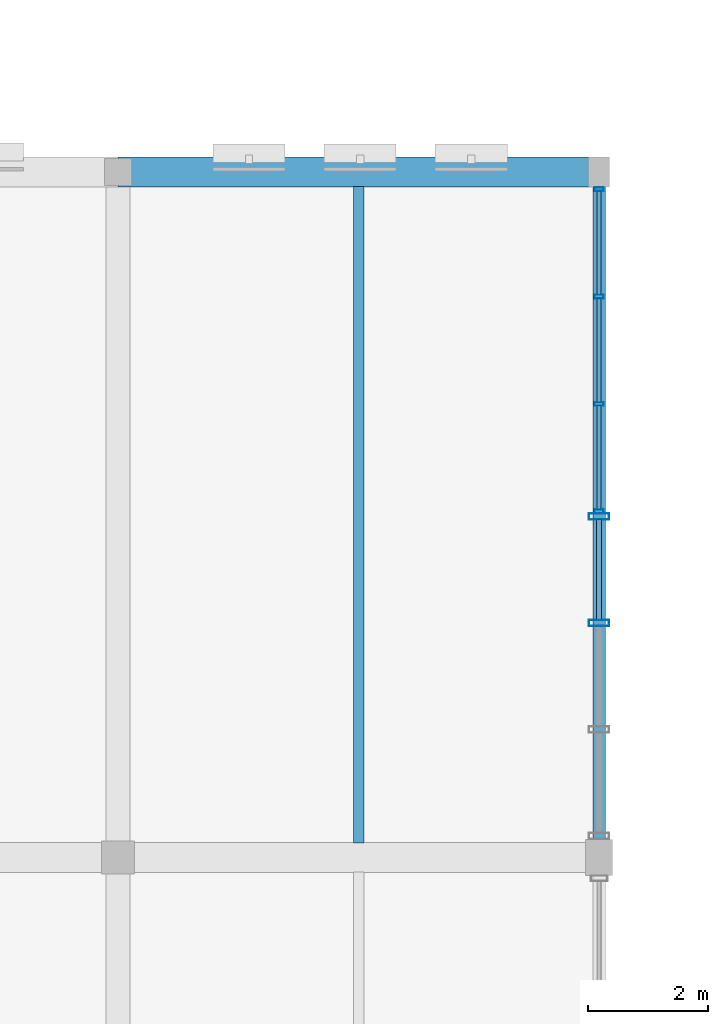
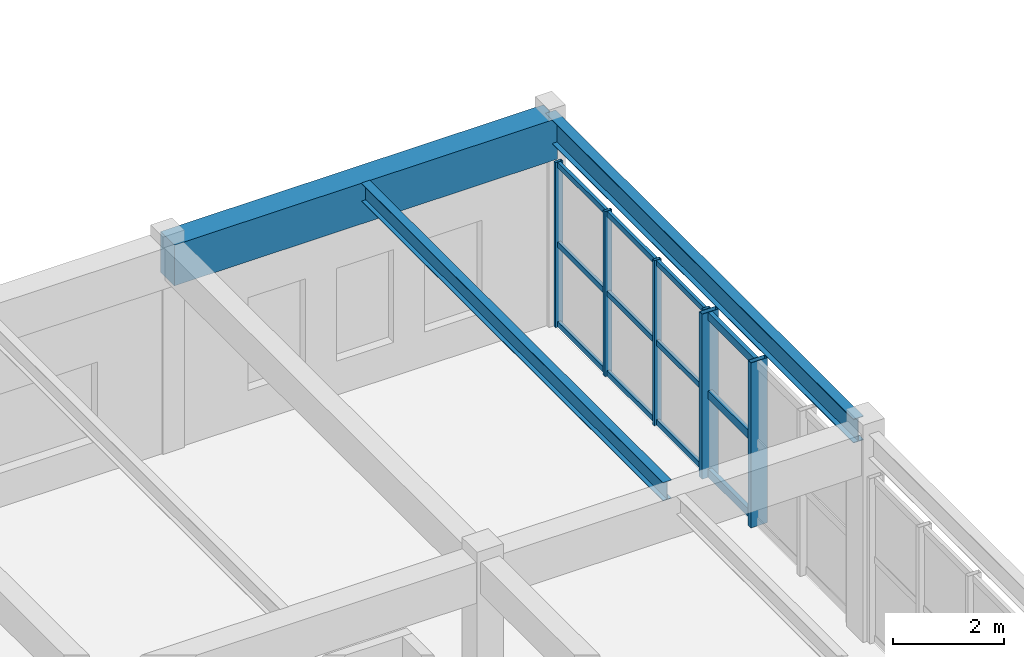
# One storey, part 47 of 106: 18 members, 3 beams, 2 elements without a shape of their own.
"""IFC4 building model written with IfcOpenShell, lengths in metres."""

from ifc_helpers import new_model, si_unit, direction, frame, origin, origin_2d, place, context, subcontext, project, spatial, rectangle, hollow_rectangle, i_section, extrude, material, layer, layer_set, material_profile, profile_set, type_object, element, aggregate, save


model = new_model("IFC4")

# Units and contexts
model_context = context("Model", 3, precision=1e-05, world=origin(), true_north=direction((0.0, 1.0)))
body_context = subcontext(model_context, "Body", "Model", "MODEL_VIEW")
ifc_project = project(units=[si_unit("LENGTHUNIT", "METRE"), si_unit("AREAUNIT", "SQUARE_METRE"), si_unit("VOLUMEUNIT", "CUBIC_METRE"), si_unit("PLANEANGLEUNIT", "RADIAN"), si_unit("MASSUNIT", "GRAM", prefix="KILO"), si_unit("POWERUNIT", "WATT"), si_unit("THERMODYNAMICTEMPERATUREUNIT", "KELVIN")], contexts=[model_context])

# Site, building, storey
site_placement = place(None, origin())
site = spatial("IfcSite", under=ifc_project, at=site_placement, CompositionType="ELEMENT")
building_placement = place(site_placement, origin())
building = spatial("IfcBuilding", under=site, at=building_placement, Name="Kelmbourne Parkland Aquatics Centre", CompositionType="ELEMENT")
storey_placement = place(building_placement, frame((0.0, 0.0, 5.39990234375)))
storey = spatial("IfcBuildingStorey", under=building, at=storey_placement, Name="L01", CompositionType="ELEMENT", Elevation=5.39990234375)

# Beams
ifc_material_1 = material(Name="Concrete C40/50", Category="concrete")
ifc_material_profile_1 = material_profile(ifc_material_1, rectangle(XDim=0.5, YDim=0.89990234375, at=origin_2d()), Name="RC 500x900")
ifc_profile_set_1 = profile_set([ifc_material_profile_1], Name="Concrete C40/50")
beam_type_1 = type_object("IfcBeamType", Name="BM-G03", PredefinedType="BEAM", material=ifc_profile_set_1)
beam_1_placement = place(storey_placement, frame((32.0, 92.0, 4.110107421875), z_axis=(1.0, 0.0, 0.0), x_axis=(0.0, 1.0, 0.0)))
element("IfcBeam", 1, at=beam_1_placement, inside=storey, type_object=beam_type_1, Name="Primary girder E-F Grid 12 (L02)", PredefinedType="BEAM", context=body_context, shape_type="SweptSolid", body=[
    extrude(rectangle(XDim=0.5, YDim=0.89990234375, at=origin_2d()), origin(), (0.0, 0.0, 1.0), 8.0),
])
ifc_material_2 = material(Name="Structural steel AS/NZS 3679.1 Grade 300", Category="steel")
ifc_material_profile_2 = material_profile(ifc_material_2, i_section(OverallWidth=0.177978515625, OverallDepth=0.406005859375, WebThickness=0.0078125, FlangeThickness=0.0126953125, at=origin_2d()), Name="410UB59.7")
ifc_profile_set_2 = profile_set([ifc_material_profile_2], Name="Structural steel AS/NZS 3679.1 Grade 300")
beam_type_2 = type_object("IfcBeamType", Name="BM-J01", PredefinedType="JOIST", material=ifc_profile_set_2)
beam_2_placement = place(storey_placement, frame((36.0, 80.842041015625, 4.357177734375), z_axis=(0.0, 1.0, 0.0), x_axis=(-1.0, 0.0, 0.0)))
element("IfcBeam", 2, at=beam_2_placement, inside=storey, type_object=beam_type_2, Name="Secondary floor joist E-F/11-12 #1 (L02)", PredefinedType="JOIST", context=body_context, shape_type="SweptSolid", body=[
    extrude(i_section(OverallWidth=0.177978515625, OverallDepth=0.406005859375, WebThickness=0.0078125, FlangeThickness=0.0126953125, at=origin_2d()), origin(), (0.0, 0.0, 1.0), 10.916015625),
])
ifc_material_profile_3 = material_profile(ifc_material_2, i_section(OverallWidth=0.208984375, OverallDepth=0.532958984375, WebThickness=0.01025390625, FlangeThickness=0.015625, at=origin_2d()), Name="530UB92.4")
ifc_profile_set_3 = profile_set([ifc_material_profile_3], Name="Structural steel AS/NZS 3679.1 Grade 300")
beam_type_3 = type_object("IfcBeamType", Name="BM-SP02", PredefinedType="SPANDREL", material=ifc_profile_set_3)
beam_3_placement = place(storey_placement, frame((40.0, 80.85498046875, 4.293701171875), z_axis=(0.0, 1.0, 0.0), x_axis=(-1.0, 0.0, 0.0)))
element("IfcBeam", 3, at=beam_3_placement, inside=storey, type_object=beam_type_3, Name="Perimeter spandrel 11-12 Grid F (L02)", PredefinedType="SPANDREL", context=body_context, shape_type="SweptSolid", body=[
    extrude(i_section(OverallWidth=0.208984375, OverallDepth=0.532958984375, WebThickness=0.01025390625, FlangeThickness=0.015625, at=origin_2d()), origin(), (0.0, 0.0, 1.0), 11.14501953125),
])

# Curtain wall, members
ifc_material_3 = material(Name="Thermally broken anodised aluminium framing", Category="aluminium")
ifc_layer_1 = layer(ifc_material_3, 0.179931640625)
ifc_layer_set_1 = layer_set([ifc_layer_1], Name="Thermally broken anodised aluminium framing")
curtain_wall_type_1 = type_object("IfcCurtainWallType", Name="CW-24", PredefinedType="NOTDEFINED", material=ifc_layer_set_1)
curtain_wall_1_placement = place(storey_placement, origin())
curtain_wall_1 = element("IfcCurtainWall", 4, at=curtain_wall_1_placement, inside=storey, type_object=curtain_wall_type_1, Name="Facade curtain wall CW-L01-240", PredefinedType="NOTDEFINED")
ifc_material_profile_4 = material_profile(ifc_material_3, hollow_rectangle(XDim=0.06494140625, YDim=0.14990234375, WallThickness=0.00390625, at=origin_2d()), Name="CW-M 65x150")
ifc_profile_set_4 = profile_set([ifc_material_profile_4], Name="Thermally broken anodised aluminium framing")
member_type_1 = type_object("IfcMemberType", Name="MB-MUL-1", PredefinedType="MULLION", material=ifc_profile_set_4)
member_1_placement = place(storey_placement, frame((40.0, 86.357421875, 0.0), z_axis=(0.0, 0.0, 1.0), x_axis=(0.0, 1.0, 0.0)))
member_1 = element("IfcMember", 5, at=member_1_placement, type_object=member_type_1, Name="CW-L01-240 mullion 0", PredefinedType="MULLION", context=body_context, shape_type="SweptSolid", body=[
    extrude(hollow_rectangle(XDim=0.06494140625, YDim=0.14990234375, WallThickness=0.00390625, at=origin_2d()), origin(), (0.0, 0.0, 1.0), 3.64501953125),
])
member_2_placement = place(storey_placement, frame((40.0, 88.1435546875, 0.0), z_axis=(0.0, 0.0, 1.0), x_axis=(0.0, 1.0, 0.0)))
member_2 = element("IfcMember", 6, at=member_2_placement, type_object=member_type_1, Name="CW-L01-240 mullion 1", PredefinedType="MULLION", context=body_context, shape_type="SweptSolid", body=[
    extrude(hollow_rectangle(XDim=0.06494140625, YDim=0.14990234375, WallThickness=0.00390625, at=origin_2d()), origin(), (0.0, 0.0, 1.0), 3.64501953125),
])
member_3_placement = place(storey_placement, frame((40.0, 89.929443359375, 0.0), z_axis=(0.0, 0.0, 1.0), x_axis=(0.0, 1.0, 0.0)))
member_3 = element("IfcMember", 7, at=member_3_placement, type_object=member_type_1, Name="CW-L01-240 mullion 2", PredefinedType="MULLION", context=body_context, shape_type="SweptSolid", body=[
    extrude(hollow_rectangle(XDim=0.06494140625, YDim=0.14990234375, WallThickness=0.00390625, at=origin_2d()), origin(), (0.0, 0.0, 1.0), 3.64501953125),
])
member_4_placement = place(storey_placement, frame((40.0, 91.715576171875, 0.0), z_axis=(0.0, 0.0, 1.0), x_axis=(0.0, 1.0, 0.0)))
member_4 = element("IfcMember", 8, at=member_4_placement, type_object=member_type_1, Name="CW-L01-240 mullion 3", PredefinedType="MULLION", context=body_context, shape_type="SweptSolid", body=[
    extrude(hollow_rectangle(XDim=0.06494140625, YDim=0.14990234375, WallThickness=0.00390625, at=origin_2d()), origin(), (0.0, 0.0, 1.0), 3.64501953125),
])

ifc_layer_2 = layer(ifc_material_3, 0.179931640625)
ifc_layer_set_2 = layer_set([ifc_layer_2], Name="Thermally broken anodised aluminium framing")
curtain_wall_type_2 = type_object("IfcCurtainWallType", Name="CW-23", PredefinedType="NOTDEFINED", material=ifc_layer_set_2)
curtain_wall_2_placement = place(storey_placement, origin())
curtain_wall_2 = element("IfcCurtainWall", 9, at=curtain_wall_2_placement, inside=storey, type_object=curtain_wall_type_2, Name="Facade curtain wall CW-L01-239", PredefinedType="NOTDEFINED")
ifc_material_profile_5 = material_profile(ifc_material_3, hollow_rectangle(XDim=0.10498046875, YDim=0.340087890625, WallThickness=0.006103515625, at=origin_2d()), Name="CW-M 105x340")
ifc_profile_set_5 = profile_set([ifc_material_profile_5], Name="Thermally broken anodised aluminium framing")
member_type_2 = type_object("IfcMemberType", Name="MB-MUL-5", PredefinedType="MULLION", material=ifc_profile_set_5)
member_5_placement = place(storey_placement, frame((40.0, 84.499755859375, 0.0), z_axis=(0.0, 0.0, 1.0), x_axis=(0.0, 1.0, 0.0)))
member_5 = element("IfcMember", 10, at=member_5_placement, type_object=member_type_2, Name="CW-L01-239 mullion 2", PredefinedType="MULLION", context=body_context, shape_type="SweptSolid", body=[
    extrude(hollow_rectangle(XDim=0.10498046875, YDim=0.340087890625, WallThickness=0.006103515625, at=origin_2d()), origin(), (0.0, 0.0, 1.0), 3.64501953125),
])
member_6_placement = place(storey_placement, frame((40.0, 86.2724609375, 0.0), z_axis=(0.0, 0.0, 1.0), x_axis=(0.0, 1.0, 0.0)))
member_6 = element("IfcMember", 11, at=member_6_placement, type_object=member_type_2, Name="CW-L01-239 mullion 3", PredefinedType="MULLION", context=body_context, shape_type="SweptSolid", body=[
    extrude(hollow_rectangle(XDim=0.10498046875, YDim=0.340087890625, WallThickness=0.006103515625, at=origin_2d()), origin(), (0.0, 0.0, 1.0), 3.64501953125),
])

# Member
ifc_material_profile_6 = material_profile(ifc_material_3, hollow_rectangle(XDim=0.06494140625, YDim=0.1201171875, WallThickness=0.00341796875, at=origin_2d()), Name="CW-T 65x120")
ifc_profile_set_6 = profile_set([ifc_material_profile_6], Name="Thermally broken anodised aluminium framing")
member_type_3 = type_object("IfcMemberType", Name="MB-TRN-1", PredefinedType="USERDEFINED", material=ifc_profile_set_6)
member_7_placement = place(storey_placement, frame((40.0, 86.385986328125, 0.06298828125), z_axis=(0.0, 1.0, 0.0), x_axis=(-1.0, 0.0, 0.0)))
member_7 = element("IfcMember", 12, at=member_7_placement, type_object=member_type_3, Name="CW-L01-240 transom 0-0", ObjectType="TRANSOM", PredefinedType="USERDEFINED", context=body_context, shape_type="SweptSolid", body=[
    extrude(hollow_rectangle(XDim=0.06494140625, YDim=0.1201171875, WallThickness=0.00341796875, at=origin_2d()), origin(), (0.0, 0.0, 1.0), 1.72900390625),
])

member_8_placement = place(storey_placement, frame((40.0, 88.172119140625, 0.06298828125), z_axis=(0.0, 1.0, 0.0), x_axis=(-1.0, 0.0, 0.0)))
member_8 = element("IfcMember", 13, at=member_8_placement, type_object=member_type_3, Name="CW-L01-240 transom 0-1", ObjectType="TRANSOM", PredefinedType="USERDEFINED", context=body_context, shape_type="SweptSolid", body=[
    extrude(hollow_rectangle(XDim=0.06494140625, YDim=0.1201171875, WallThickness=0.00341796875, at=origin_2d()), origin(), (0.0, 0.0, 1.0), 1.728759765625),
])

member_9_placement = place(storey_placement, frame((40.0, 89.9580078125, 0.06298828125), z_axis=(0.0, 1.0, 0.0), x_axis=(-1.0, 0.0, 0.0)))
member_9 = element("IfcMember", 14, at=member_9_placement, type_object=member_type_3, Name="CW-L01-240 transom 0-2", ObjectType="TRANSOM", PredefinedType="USERDEFINED", context=body_context, shape_type="SweptSolid", body=[
    extrude(hollow_rectangle(XDim=0.06494140625, YDim=0.1201171875, WallThickness=0.00341796875, at=origin_2d()), origin(), (0.0, 0.0, 1.0), 1.72900390625),
])

member_10_placement = place(storey_placement, frame((40.0, 86.385986328125, 1.822509765625), z_axis=(0.0, 1.0, 0.0), x_axis=(-1.0, 0.0, 0.0)))
member_10 = element("IfcMember", 15, at=member_10_placement, type_object=member_type_3, Name="CW-L01-240 transom 1-0", ObjectType="TRANSOM", PredefinedType="USERDEFINED", context=body_context, shape_type="SweptSolid", body=[
    extrude(hollow_rectangle(XDim=0.06494140625, YDim=0.1201171875, WallThickness=0.00341796875, at=origin_2d()), origin(), (0.0, 0.0, 1.0), 1.72900390625),
])

member_11_placement = place(storey_placement, frame((40.0, 88.172119140625, 1.822509765625), z_axis=(0.0, 1.0, 0.0), x_axis=(-1.0, 0.0, 0.0)))
member_11 = element("IfcMember", 16, at=member_11_placement, type_object=member_type_3, Name="CW-L01-240 transom 1-1", ObjectType="TRANSOM", PredefinedType="USERDEFINED", context=body_context, shape_type="SweptSolid", body=[
    extrude(hollow_rectangle(XDim=0.06494140625, YDim=0.1201171875, WallThickness=0.00341796875, at=origin_2d()), origin(), (0.0, 0.0, 1.0), 1.728759765625),
])

member_12_placement = place(storey_placement, frame((40.0, 89.9580078125, 1.822509765625), z_axis=(0.0, 1.0, 0.0), x_axis=(-1.0, 0.0, 0.0)))
member_12 = element("IfcMember", 17, at=member_12_placement, type_object=member_type_3, Name="CW-L01-240 transom 1-2", ObjectType="TRANSOM", PredefinedType="USERDEFINED", context=body_context, shape_type="SweptSolid", body=[
    extrude(hollow_rectangle(XDim=0.06494140625, YDim=0.1201171875, WallThickness=0.00341796875, at=origin_2d()), origin(), (0.0, 0.0, 1.0), 1.72900390625),
])

member_13_placement = place(storey_placement, frame((40.0, 86.385986328125, 3.58203125), z_axis=(0.0, 1.0, 0.0), x_axis=(-1.0, 0.0, 0.0)))
member_13 = element("IfcMember", 18, at=member_13_placement, type_object=member_type_3, Name="CW-L01-240 transom 2-0", ObjectType="TRANSOM", PredefinedType="USERDEFINED", context=body_context, shape_type="SweptSolid", body=[
    extrude(hollow_rectangle(XDim=0.06494140625, YDim=0.1201171875, WallThickness=0.00341796875, at=origin_2d()), origin(), (0.0, 0.0, 1.0), 1.72900390625),
])

member_14_placement = place(storey_placement, frame((40.0, 88.172119140625, 3.58203125), z_axis=(0.0, 1.0, 0.0), x_axis=(-1.0, 0.0, 0.0)))
member_14 = element("IfcMember", 19, at=member_14_placement, type_object=member_type_3, Name="CW-L01-240 transom 2-1", ObjectType="TRANSOM", PredefinedType="USERDEFINED", context=body_context, shape_type="SweptSolid", body=[
    extrude(hollow_rectangle(XDim=0.06494140625, YDim=0.1201171875, WallThickness=0.00341796875, at=origin_2d()), origin(), (0.0, 0.0, 1.0), 1.728759765625),
])

member_15_placement = place(storey_placement, frame((40.0, 89.9580078125, 3.58203125), z_axis=(0.0, 1.0, 0.0), x_axis=(-1.0, 0.0, 0.0)))
member_15 = element("IfcMember", 20, at=member_15_placement, type_object=member_type_3, Name="CW-L01-240 transom 2-2", ObjectType="TRANSOM", PredefinedType="USERDEFINED", context=body_context, shape_type="SweptSolid", body=[
    extrude(hollow_rectangle(XDim=0.06494140625, YDim=0.1201171875, WallThickness=0.00341796875, at=origin_2d()), origin(), (0.0, 0.0, 1.0), 1.72900390625),
])

aggregate(curtain_wall_1, [member_1, member_2, member_3, member_4, member_7, member_8, member_9, member_10, member_11, member_12, member_13, member_14, member_15])

ifc_material_profile_7 = material_profile(ifc_material_3, hollow_rectangle(XDim=0.0849609375, YDim=0.179931640625, WallThickness=0.00439453125, at=origin_2d()), Name="CW-T 85x180")
ifc_profile_set_7 = profile_set([ifc_material_profile_7], Name="Thermally broken anodised aluminium framing")
member_type_4 = type_object("IfcMemberType", Name="MB-TRN-3", PredefinedType="USERDEFINED", material=ifc_profile_set_7)
member_16_placement = place(storey_placement, frame((40.0, 84.54833984375, 0.093017578125), z_axis=(0.0, 1.0, 0.0), x_axis=(-1.0, 0.0, 0.0)))
member_16 = element("IfcMember", 21, at=member_16_placement, type_object=member_type_4, Name="CW-L01-239 transom 0-2", ObjectType="TRANSOM", PredefinedType="USERDEFINED", context=body_context, shape_type="SweptSolid", body=[
    extrude(hollow_rectangle(XDim=0.0849609375, YDim=0.179931640625, WallThickness=0.00439453125, at=origin_2d()), origin(), (0.0, 0.0, 1.0), 1.67578125),
])

member_17_placement = place(storey_placement, frame((40.0, 84.54833984375, 1.822509765625), z_axis=(0.0, 1.0, 0.0), x_axis=(-1.0, 0.0, 0.0)))
member_17 = element("IfcMember", 22, at=member_17_placement, type_object=member_type_4, Name="CW-L01-239 transom 1-2", ObjectType="TRANSOM", PredefinedType="USERDEFINED", context=body_context, shape_type="SweptSolid", body=[
    extrude(hollow_rectangle(XDim=0.0849609375, YDim=0.179931640625, WallThickness=0.00439453125, at=origin_2d()), origin(), (0.0, 0.0, 1.0), 1.67578125),
])

member_18_placement = place(storey_placement, frame((40.0, 84.54833984375, 3.552001953125), z_axis=(0.0, 1.0, 0.0), x_axis=(-1.0, 0.0, 0.0)))
member_18 = element("IfcMember", 23, at=member_18_placement, type_object=member_type_4, Name="CW-L01-239 transom 2-2", ObjectType="TRANSOM", PredefinedType="USERDEFINED", context=body_context, shape_type="SweptSolid", body=[
    extrude(hollow_rectangle(XDim=0.0849609375, YDim=0.179931640625, WallThickness=0.00439453125, at=origin_2d()), origin(), (0.0, 0.0, 1.0), 1.67578125),
])

aggregate(curtain_wall_2, [member_5, member_6, member_16, member_17, member_18])

save(model, "model.ifc")
